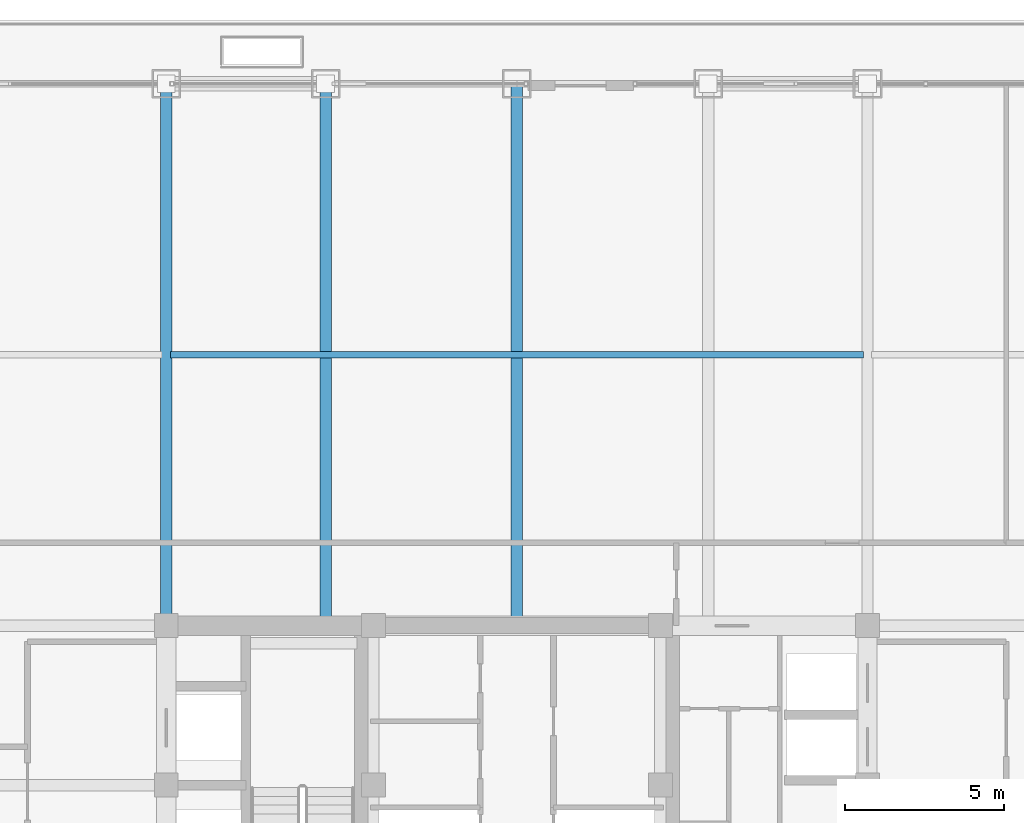
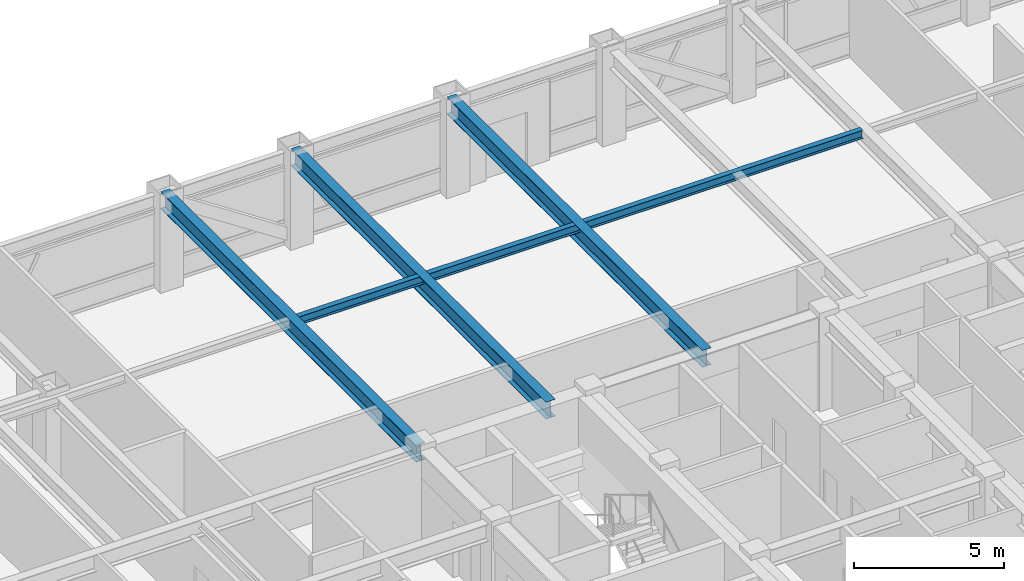
# One storey, part 18 of 32: 4 beams.
"""IFC4 building model written with IfcOpenShell, lengths in metres."""

from ifc_helpers import new_model, si_unit, direction, frame, origin, origin_2d, place, context, subcontext, project, spatial, i_section, extrude, source, transform, mapped, material, material_profile, profile_set, type_object, element, save


model = new_model("IFC4")

# Units and contexts
model_context = context("Model", 3, precision=1e-05, world=origin(), true_north=direction((0.0, 1.0)))
body_context = subcontext(model_context, "Body", "Model", "MODEL_VIEW")
ifc_project = project(units=[si_unit("LENGTHUNIT", "METRE"), si_unit("AREAUNIT", "SQUARE_METRE"), si_unit("VOLUMEUNIT", "CUBIC_METRE"), si_unit("PLANEANGLEUNIT", "RADIAN"), si_unit("MASSUNIT", "GRAM", prefix="KILO")], contexts=[model_context])

# Site, building, storey
site_placement = place(None, origin())
site = spatial("IfcSite", under=ifc_project, at=site_placement, CompositionType="ELEMENT")
building_placement = place(site_placement, origin())
building = spatial("IfcBuilding", under=site, at=building_placement, Name="Khorayat Bourse Tower", CompositionType="ELEMENT")
storey_placement = place(building_placement, frame((0.0, 0.0, 273.5)))
storey = spatial("IfcBuildingStorey", under=building, at=storey_placement, Name="L64", CompositionType="ELEMENT", Elevation=273.5)

# Beams
ifc_material = material(Name="Steel ASTM A992 Grade 50", Category="steel")
ifc_material_profile_1 = material_profile(ifc_material, i_section(OverallWidth=0.35498046875, OverallDepth=0.695068359375, WebThickness=0.015380859375, FlangeThickness=0.02490234375, FilletRadius=0.01806640625, at=origin_2d()), Name="W690X217")
ifc_profile_set_1 = profile_set([ifc_material_profile_1], Name="Steel ASTM A992 Grade 50")
beam_type_1 = type_object("IfcBeamType", Name="BM-GIRD-690", PredefinedType="BEAM", material=ifc_profile_set_1)
shared_shape_1 = source(origin(), body_context, "Body", "SweptSolid", [
    extrude(i_section(OverallWidth=0.35498046875, OverallDepth=0.695068359375, WebThickness=0.015380859375, FlangeThickness=0.02490234375, FilletRadius=0.01806640625, at=origin_2d()), origin(), (0.0, 0.0, 1.0), 17.0),
])
for number, where, z_axis, x_axis, name in (
    (1, (-11.0, 11.0, 3.4326171875), (0.0, 1.0, 0.0), (-1.0, 0.0, 0.0), "L64 BM-GIRD-690 BM-L64-RADY-064"),
    (2, (-6.0, 11.0, 3.4326171875), (0.0, 1.0, 0.0), (-1.0, 0.0, 0.0), "L64 BM-GIRD-690 BM-L64-RADY-066"),
    (3, (0.0, 11.0, 3.4326171875), (0.0, 1.0, 0.0), (-1.0, 0.0, 0.0), "L64 BM-GIRD-690 BM-L64-RADY-068"),
):
    element("IfcBeam", number, at=place(storey_placement, frame(where, z_axis=z_axis, x_axis=x_axis)), inside=storey, type_object=beam_type_1, Name=name, PredefinedType="BEAM", context=body_context, shape_type="MappedRepresentation", body=[
        mapped(shared_shape_1, transform((0.0, 0.0, 0.0), scale=1.0)),
    ])
ifc_material_profile_2 = material_profile(ifc_material, i_section(OverallWidth=0.202880859375, OverallDepth=0.346923828125, WebThickness=0.0078125, FlangeThickness=0.013427734375, FilletRadius=0.010009765625, at=origin_2d()), Name="W360X64")
ifc_profile_set_2 = profile_set([ifc_material_profile_2], Name="Steel ASTM A992 Grade 50")
beam_type_2 = type_object("IfcBeamType", Name="BM-JOIST-360", PredefinedType="JOIST", material=ifc_profile_set_2)
shared_shape_2 = source(origin(), body_context, "Body", "SweptSolid", [
    extrude(i_section(OverallWidth=0.202880859375, OverallDepth=0.346923828125, WebThickness=0.0078125, FlangeThickness=0.013427734375, FilletRadius=0.010009765625, at=origin_2d()), origin(), (0.0, 0.0, 1.0), 21.740234375),
])
beam_placement = place(storey_placement, frame((-10.8701171875, 19.5, 3.6064453125), z_axis=(1.0, 0.0, 0.0), x_axis=(0.0, 1.0, 0.0)))
element("IfcBeam", 4, at=beam_placement, inside=storey, type_object=beam_type_2, Name="L64 BM-JOIST-360 BM-L64-JSTX-100", PredefinedType="JOIST", context=body_context, shape_type="MappedRepresentation", body=[
    mapped(shared_shape_2, transform((0.0, 0.0, 0.0), scale=1.0)),
])

save(model, "model.ifc")
